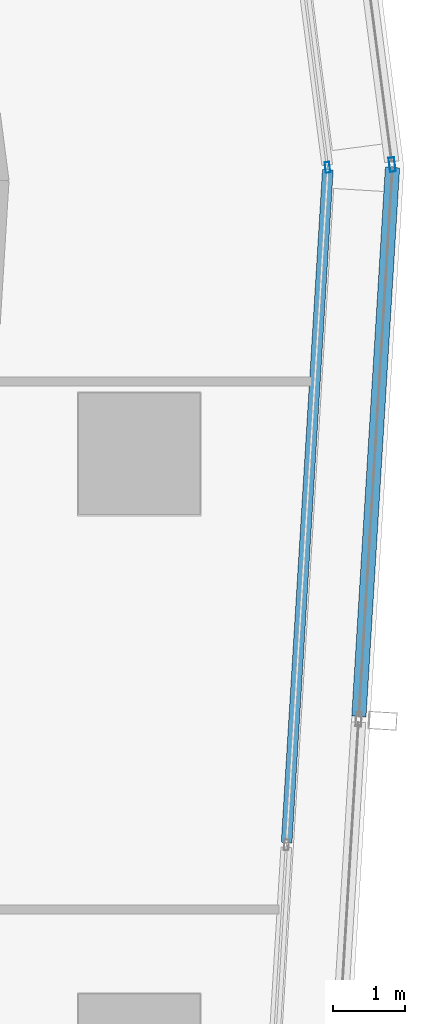
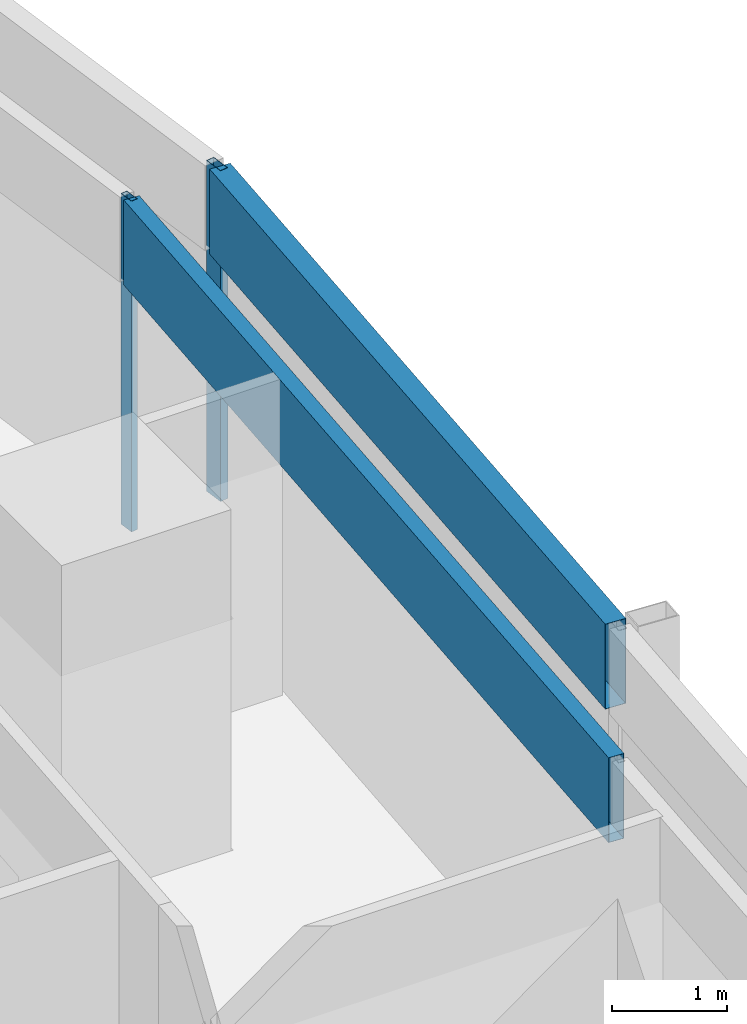
# One storey, part 25 of 40: 4 members, 4 elements without a shape of their own.
"""IFC4 building model written with IfcOpenShell, lengths in metres."""

from ifc_helpers import new_model, si_unit, direction, frame, origin, origin_2d, place, context, subcontext, project, spatial, hollow_rectangle, extrude, material, material_profile, profile_set, type_object, element, aggregate, save


model = new_model("IFC4")

# Units and contexts
model_context = context("Model", 3, precision=1e-05, world=origin(), true_north=direction((0.0, 1.0)))
body_context = subcontext(model_context, "Body", "Model", "MODEL_VIEW")
ifc_project = project(units=[si_unit("LENGTHUNIT", "METRE"), si_unit("AREAUNIT", "SQUARE_METRE"), si_unit("VOLUMEUNIT", "CUBIC_METRE"), si_unit("PLANEANGLEUNIT", "RADIAN"), si_unit("MASSUNIT", "GRAM", prefix="KILO")], contexts=[model_context])

# Site, building, storey
site_placement = place(None, origin())
site = spatial("IfcSite", under=ifc_project, at=site_placement, CompositionType="ELEMENT")
building_placement = place(site_placement, origin())
building = spatial("IfcBuilding", under=site, at=building_placement, Name="Rekha Terrace Tower", CompositionType="ELEMENT")
storey_placement = place(building_placement, frame((0.0, 0.0, 106.550048828125)))
storey = spatial("IfcBuildingStorey", under=building, at=storey_placement, Name="L26", CompositionType="ELEMENT", Elevation=106.550048828125)

# Curtain wall, member
ifc_material_1 = material(Name="Aluminium framing", Category="aluminium")
curtain_wall_type_1 = type_object("IfcCurtainWallType", Name="CW1 double skin inner glazing", PredefinedType="USERDEFINED", material=ifc_material_1)
curtain_wall_1_placement = place(storey_placement, origin())
curtain_wall_1 = element("IfcCurtainWall", 1, at=curtain_wall_1_placement, inside=storey, type_object=curtain_wall_type_1, Name="CW1 double skin inner glazing", ObjectType="DOUBLE SKIN INNER GLAZING", PredefinedType="USERDEFINED")
ifc_material_2 = material(Name="Aluminium mullion section", Category="aluminium")
ifc_material_profile_1 = material_profile(ifc_material_2, hollow_rectangle(XDim=0.06494140625, YDim=0.14990234375, WallThickness=0.00390625, at=origin_2d()), Name="AL RHS 65x150")
ifc_profile_set_1 = profile_set([ifc_material_profile_1], Name="Aluminium mullion section")
member_type_1 = type_object("IfcMemberType", Name="CW1 mullion RHS 65 x 150", PredefinedType="MULLION", material=ifc_profile_set_1)
member_1_placement = place(storey_placement, frame((69.83154296875, 46.00390625, 0.0), z_axis=(0.0, 0.0, 1.0), x_axis=(-0.991629186237, -0.129118383675, 0.0)))
member_1 = element("IfcMember", 2, at=member_1_placement, type_object=member_type_1, Name="CW1 mullion 1", PredefinedType="MULLION", context=body_context, shape_type="SweptSolid", body=[
    extrude(hollow_rectangle(XDim=0.06494140625, YDim=0.14990234375, WallThickness=0.00390625, at=origin_2d()), origin(), (0.0, 0.0, 1.0), 3.5),
])
aggregate(curtain_wall_1, [member_1])

curtain_wall_2_placement = place(storey_placement, origin())
curtain_wall_2 = element("IfcCurtainWall", 3, at=curtain_wall_2_placement, inside=storey, type_object=curtain_wall_type_1, Name="CW1 double skin inner glazing", ObjectType="DOUBLE SKIN INNER GLAZING", PredefinedType="USERDEFINED")
ifc_material_3 = material(Name="Insulated aluminium spandrel box", Category="aluminium")
ifc_material_profile_2 = material_profile(ifc_material_3, hollow_rectangle(XDim=0.14990234375, YDim=0.89990234375, WallThickness=0.0029296875, at=origin_2d()), Name="AL SPANDREL BOX 150x900")
ifc_profile_set_2 = profile_set([ifc_material_profile_2], Name="Insulated aluminium spandrel box")
member_type_2 = type_object("IfcMemberType", Name="CW1 spandrel transom 150 x 900", PredefinedType="USERDEFINED", material=ifc_profile_set_2)
member_2_placement = place(storey_placement, frame((69.259765625, 36.569091796875, 3.050048828125), z_axis=(0.061137463969, 0.998129355594, 0.0), x_axis=(-0.998129355594, 0.061137463969, 0.0)))
member_2 = element("IfcMember", 4, at=member_2_placement, type_object=member_type_2, Name="CW1 spandrel transom 3", ObjectType="TRANSOM", PredefinedType="USERDEFINED", context=body_context, shape_type="SweptSolid", body=[
    extrude(hollow_rectangle(XDim=0.14990234375, YDim=0.89990234375, WallThickness=0.0029296875, at=origin_2d()), origin(), (0.0, 0.0, 1.0), 9.420166015625),
])
aggregate(curtain_wall_2, [member_2])

curtain_wall_type_2 = type_object("IfcCurtainWallType", Name="CW2 double skin outer glazing", PredefinedType="USERDEFINED", material=ifc_material_1)
curtain_wall_3_placement = place(storey_placement, origin())
curtain_wall_3 = element("IfcCurtainWall", 5, at=curtain_wall_3_placement, inside=storey, type_object=curtain_wall_type_2, Name="CW2 double skin outer glazing", ObjectType="DOUBLE SKIN OUTER GLAZING", PredefinedType="USERDEFINED")
ifc_material_profile_3 = material_profile(ifc_material_2, hollow_rectangle(XDim=0.080078125, YDim=0.199951171875, WallThickness=0.00390625, at=origin_2d()), Name="AL RHS 80x200")
ifc_profile_set_3 = profile_set([ifc_material_profile_3], Name="Aluminium mullion section")
member_type_3 = type_object("IfcMemberType", Name="CW2 mullion RHS 80 x 200", PredefinedType="MULLION", material=ifc_profile_set_3)
member_3_placement = place(storey_placement, frame((70.734130859375, 46.042236328125, 0.0), z_axis=(0.0, 0.0, 1.0), x_axis=(-0.991629186244, -0.129118383623, 0.0)))
member_3 = element("IfcMember", 6, at=member_3_placement, type_object=member_type_3, Name="CW2 mullion 1", PredefinedType="MULLION", context=body_context, shape_type="SweptSolid", body=[
    extrude(hollow_rectangle(XDim=0.080078125, YDim=0.199951171875, WallThickness=0.00390625, at=origin_2d()), origin(), (0.0, 0.0, 1.0), 3.5),
])
aggregate(curtain_wall_3, [member_3])

curtain_wall_4_placement = place(storey_placement, origin())
curtain_wall_4 = element("IfcCurtainWall", 7, at=curtain_wall_4_placement, inside=storey, type_object=curtain_wall_type_2, Name="CW2 double skin outer glazing", ObjectType="DOUBLE SKIN OUTER GLAZING", PredefinedType="USERDEFINED")
ifc_material_profile_4 = material_profile(ifc_material_3, hollow_rectangle(XDim=0.199951171875, YDim=0.89990234375, WallThickness=0.0029296875, at=origin_2d()), Name="AL SPANDREL BOX 200x900")
ifc_profile_set_4 = profile_set([ifc_material_profile_4], Name="Insulated aluminium spandrel box")
member_type_4 = type_object("IfcMemberType", Name="CW2 spandrel transom 200 x 900", PredefinedType="USERDEFINED", material=ifc_profile_set_4)
member_4_placement = place(storey_placement, frame((70.269287109375, 38.330322265625, 3.050048828125), z_axis=(0.061142352683, 0.998129056139, 0.0), x_axis=(-0.998129056139, 0.061142352683, 0.0)))
member_4 = element("IfcMember", 8, at=member_4_placement, type_object=member_type_4, Name="CW2 spandrel transom 4", ObjectType="TRANSOM", PredefinedType="USERDEFINED", context=body_context, shape_type="SweptSolid", body=[
    extrude(hollow_rectangle(XDim=0.199951171875, YDim=0.89990234375, WallThickness=0.0029296875, at=origin_2d()), origin(), (0.0, 0.0, 1.0), 7.6865234375),
])
aggregate(curtain_wall_4, [member_4])

save(model, "model.ifc")
